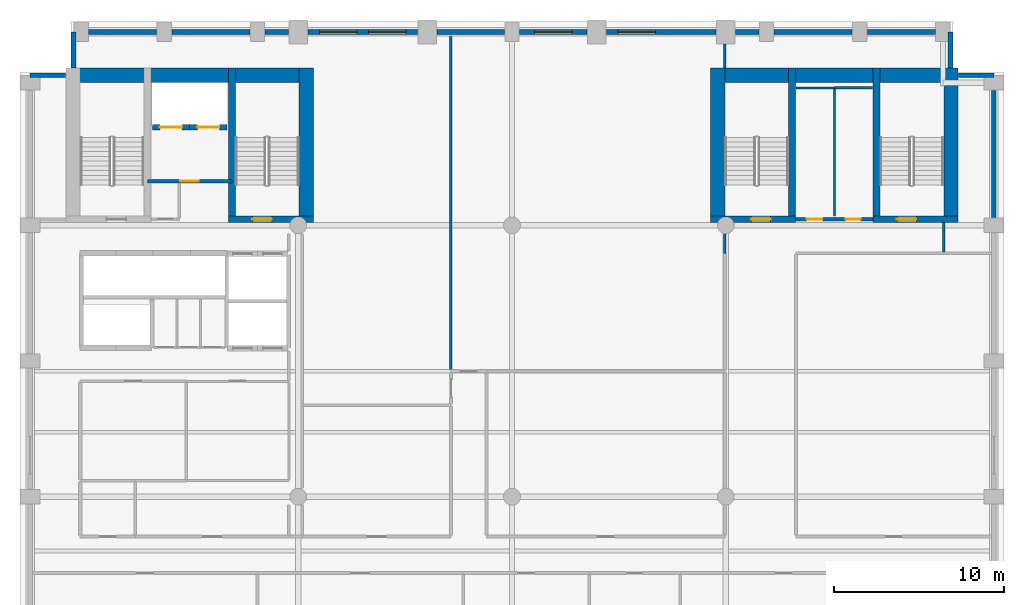
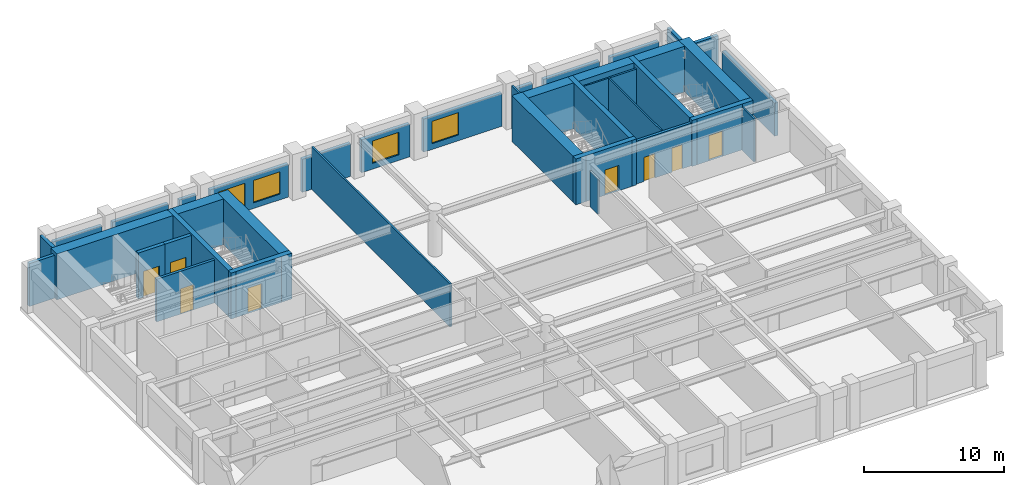
# One storey, part 5 of 8: 37 walls, 8 doors, 4 windows, 12 openings.
"""IFC4 building model written with IfcOpenShell, lengths in metres."""

import ifcopenshell
import ifcopenshell.guid

model = None  # the IFC model being written
_history = None  # IfcOwnerHistory: only IFC2X3 demands one
_inside = {}  # id of a spatial element -> (the spatial element, [elements in it])
_under = {}  # id of a project, library or spatial element -> (it, [spatial elements below it])
_declared = {}  # id of a project -> (the project, [libraries it declares])
_typed = {}  # id of a type object -> (the type object, [elements of that type])
_made_of = {}  # id of a material, layer set ... -> (it, [elements and type objects made of it])


def new_model(schema):
    """Start an empty IFC model of exactly this schema.

    Asked for "IFC4X3", IfcOpenShell would pick the latest addendum, in which some entities
    have other attributes; the version numbers below select the first issue.
    IFC2X3 requires an IfcOwnerHistory on every rooted entity: one is made here for all.
    """
    global model, _history
    if schema == "IFC4X3":
        model = ifcopenshell.file(schema_version=(4, 3, 0, 0))
    else:
        model = ifcopenshell.file(schema=schema)
    _inside.clear()
    _under.clear()
    _declared.clear()
    _typed.clear()
    _made_of.clear()
    _history = None
    if model.schema == "IFC2X3":
        org = make("IfcOrganization", Name="unknown")
        user = make(
            "IfcPersonAndOrganization",
            ThePerson=make("IfcPerson", FamilyName="unknown"),
            TheOrganization=org,
        )
        app = make(
            "IfcApplication",
            ApplicationDeveloper=org,
            Version="unknown",
            ApplicationFullName="unknown",
            ApplicationIdentifier="unknown",
        )
        _history = make(
            "IfcOwnerHistory",
            OwningUser=user,
            OwningApplication=app,
            ChangeAction="ADDED",
            CreationDate=0,
        )
    return model


def make(cls, **values):
    """One entity of the class cls with the attributes given. An attribute that is None is left unset."""
    return model.create_entity(
        cls, **{name: value for name, value in values.items() if value is not None}
    )


def rooted(cls, **values):
    """An entity with a GlobalId (a new one), such as an element, a storey or a relation."""
    return make(cls, GlobalId=ifcopenshell.guid.new(), OwnerHistory=_history, **values)


def si_unit(unit_type, name, prefix=None):
    """IfcSIUnit, for example si_unit("LENGTHUNIT", "METRE", prefix="MILLI")."""
    return make("IfcSIUnit", UnitType=unit_type, Prefix=prefix, Name=name)


def assignment(units):
    """IfcUnitAssignment: the units of a project."""
    return None if units is None else make("IfcUnitAssignment", Units=units)


def point(xyz):
    """IfcCartesianPoint."""
    return None if xyz is None else make("IfcCartesianPoint", Coordinates=xyz)


def direction(xyz):
    """IfcDirection."""
    return None if xyz is None else make("IfcDirection", DirectionRatios=xyz)


def frame(location, z_axis=None, x_axis=None):
    """IfcAxis2Placement3D, a coordinate frame: its origin and axes. An axis left out is left unset."""
    return make(
        "IfcAxis2Placement3D",
        Location=point(location),
        Axis=direction(z_axis),
        RefDirection=direction(x_axis),
    )


def frame_2d(location, x_axis=None):
    """IfcAxis2Placement2D, a coordinate frame in the plane: its origin and x axis."""
    return make(
        "IfcAxis2Placement2D", Location=point(location), RefDirection=direction(x_axis)
    )


def origin():
    """The frame at (0, 0, 0) with its axes left unset."""
    return frame((0.0, 0.0, 0.0))


def place(relative_to, where):
    """IfcLocalPlacement: puts the frame where relative to a parent placement (None: the world)."""
    return make(
        "IfcLocalPlacement", PlacementRelTo=relative_to, RelativePlacement=where
    )


def context(
    kind, dimensions, precision=None, world=None, true_north=None, identifier=None
):
    """IfcGeometricRepresentationContext, for example the 3D "Model" context."""
    return make(
        "IfcGeometricRepresentationContext",
        ContextIdentifier=identifier,
        ContextType=kind,
        CoordinateSpaceDimension=dimensions,
        Precision=precision,
        WorldCoordinateSystem=world,
        TrueNorth=true_north,
    )


def subcontext(parent, identifier, kind, view, scale=None):
    """IfcGeometricRepresentationSubContext, for example "Body" below "Model"."""
    return make(
        "IfcGeometricRepresentationSubContext",
        ContextIdentifier=identifier,
        ContextType=kind,
        ParentContext=parent,
        TargetScale=scale,
        TargetView=view,
    )


def project(units=None, contexts=None):
    """IfcProject with its units and contexts."""
    return rooted(
        "IfcProject",
        Name="project",
        RepresentationContexts=contexts,
        UnitsInContext=assignment(units),
    )


def spatial(cls, under=None, at=None, **own):
    """A site, building, storey or space (cls), placed at a placement, below another one or the project."""
    s = rooted(cls, ObjectPlacement=at, **own)
    if under is not None:
        _under.setdefault(under.id(), (under, []))[1].append(s)
    return s


def profile(cls, at=None, kind="AREA", **sizes):
    """A parametric profile (cls). Its sizes go by their IFC names, for example OverallWidth=200.0."""
    return make(cls, ProfileType=kind, Position=at, **sizes)


def rectangle(**sizes):
    """IfcRectangleProfileDef."""
    return profile("IfcRectangleProfileDef", **sizes)


def extrude(swept, where, along, depth):
    """IfcExtrudedAreaSolid: the profile swept, set in the frame where, extruded along a direction by depth."""
    return make(
        "IfcExtrudedAreaSolid",
        SweptArea=swept,
        Position=where,
        ExtrudedDirection=direction(along),
        Depth=depth,
    )


def shape(context_of_items, identifier, shape_type, items):
    """IfcShapeRepresentation: the items that make up one representation, for example the "Body"."""
    return make(
        "IfcShapeRepresentation",
        ContextOfItems=context_of_items,
        RepresentationIdentifier=identifier,
        RepresentationType=shape_type,
        Items=items,
    )


def material(Name=None, Category=None):
    """IfcMaterial."""
    return make("IfcMaterial", Name=Name, Category=Category)


def layer(
    of_material, thickness, ventilated=None, Name=None, Category=None, Priority=None
):
    """IfcMaterialLayer: one layer of a wall or slab, of a material (None: an air gap)."""
    return make(
        "IfcMaterialLayer",
        Material=of_material,
        LayerThickness=thickness,
        IsVentilated=ventilated,
        Name=Name,
        Category=Category,
        Priority=Priority,
    )


def layer_set(layers, Name=None):
    """IfcMaterialLayerSet."""
    return make("IfcMaterialLayerSet", MaterialLayers=layers, LayerSetName=Name)


def made_of(thing, what):
    """Note that an element or type object is made of a material, layer set ...; save() writes the relation."""
    if what is not None:
        _made_of.setdefault(what.id(), (what, []))[1].append(thing)
    return thing


def type_object(cls, material=None, **own):
    """A type object (cls), such as IfcWallType, which elements share."""
    return made_of(rooted(cls, **own), material)


def element(
    cls,
    number,
    at=None,
    inside=None,
    cuts=None,
    type_object=None,
    material=None,
    context=None,
    identifier="Body",
    shape_type=None,
    held_by="IfcProductDefinitionShape",
    body=None,
    shapes=None,
    **own,
):
    """One element of the class cls, such as IfcWall. Its Tag is "e" and its number.

    at: its placement. inside: the storey or other place that contains it. cuts: it is an
    opening in that element (IfcRelVoidsElement). A single representation is given by context,
    identifier, shape_type and body (its items); several are given by shapes. held_by: the class
    of the entity that holds the representations. save() writes the other relations.
    """
    e = rooted(cls, Tag="e%d" % number, ObjectPlacement=at, **own)
    if body is not None:
        shapes = [shape(context, identifier, shape_type, body)]
    if shapes is not None:
        e.Representation = make(held_by, Representations=shapes)
    if inside is not None:
        _inside.setdefault(inside.id(), (inside, []))[1].append(e)
    if cuts is not None:
        rooted(
            "IfcRelVoidsElement", RelatingBuildingElement=cuts, RelatedOpeningElement=e
        )
    if type_object is not None:
        _typed.setdefault(type_object.id(), (type_object, []))[1].append(e)
    return made_of(e, material)


def fill(opening, filler):
    """IfcRelFillsElement: the door or window that sits in an opening."""
    return rooted(
        "IfcRelFillsElement",
        RelatingOpeningElement=opening,
        RelatedBuildingElement=filler,
    )


def aggregate(whole, parts):
    """IfcRelAggregates: a whole, such as a stair, and the parts it consists of."""
    return rooted("IfcRelAggregates", RelatingObject=whole, RelatedObjects=parts)


def save(model, path):
    """Write the relations noted so far, then the file.

    IfcRelAggregates (storeys below a building ...), IfcRelContainedInSpatialStructure (elements
    in a storey), IfcRelDefinesByType, IfcRelAssociatesMaterial and IfcRelDeclares: one each for
    every whole, place, type object, material and project.
    """
    for whole, parts in _under.values():
        aggregate(whole, parts)
    for where, things in _inside.values():
        rooted(
            "IfcRelContainedInSpatialStructure",
            RelatedElements=things,
            RelatingStructure=where,
        )
    for kind, things in _typed.values():
        rooted("IfcRelDefinesByType", RelatedObjects=things, RelatingType=kind)
    for what, things in _made_of.values():
        rooted("IfcRelAssociatesMaterial", RelatedObjects=things, RelatingMaterial=what)
    for by, libraries in _declared.values():
        rooted("IfcRelDeclares", RelatingContext=by, RelatedDefinitions=libraries)
    model.write(path)


model = new_model("IFC4")

# Units and contexts
model_context = context("Model", 3, precision=1e-05, world=origin(), true_north=direction((0.0, 1.0)))
body_context = subcontext(model_context, "Body", "Model", "MODEL_VIEW")
ifc_project = project(units=[si_unit("LENGTHUNIT", "METRE"), si_unit("AREAUNIT", "SQUARE_METRE"), si_unit("VOLUMEUNIT", "CUBIC_METRE"), si_unit("PLANEANGLEUNIT", "RADIAN"), si_unit("MASSUNIT", "GRAM", prefix="KILO")], contexts=[model_context])

# Site, building, storey
site_placement = place(None, origin())
site = spatial("IfcSite", under=ifc_project, at=site_placement, CompositionType="ELEMENT")
building_placement = place(site_placement, origin())
building = spatial("IfcBuilding", under=site, at=building_placement, Name="Sulina Concourse Tower", CompositionType="ELEMENT")
storey_placement = place(building_placement, frame((0.0, 0.0, 116.60009765625)))
storey = spatial("IfcBuildingStorey", under=building, at=storey_placement, Name="L28", CompositionType="ELEMENT", Elevation=116.60009765625)

# Wall, opening, door
ifc_material_1 = material(Name="Concrete C50/60", Category="concrete")
ifc_layer_1 = layer(ifc_material_1, 0.300048828125)
ifc_layer_set_1 = layer_set([ifc_layer_1], Name="Concrete C50/60")
wall_type_1 = type_object("IfcWallType", Name="Core Lift Hoistway Wall 300mm", PredefinedType="SOLIDWALL", material=ifc_layer_set_1)
wall_1_placement = place(storey_placement, frame((10.0, 39.780029296875, 0.0), z_axis=(0.0, 0.0, 1.0), x_axis=(-1.0, 0.0, 0.0)))
wall_1 = element("IfcWall", 1, at=wall_1_placement, inside=storey, type_object=wall_type_1, Name="L28 hoistway enclosure wall FFL-1", PredefinedType="SOLIDWALL", context=body_context, shape_type="SweptSolid", body=[
    extrude(rectangle(XDim=2.199951171875, YDim=0.300048828125, at=frame_2d((1.10009765625, 0.0))), origin(), (0.0, 0.0, 1.0), 4.0),
])
opening_1_placement = place(wall_1_placement, frame((0.449951171875, 0.0, 0.0)))
opening_1 = element("IfcOpeningElement", 2, at=opening_1_placement, cuts=wall_1, Name="Opening LD-02", PredefinedType="OPENING", context=body_context, shape_type="SweptSolid", body=[
    extrude(rectangle(XDim=1.300048828125, YDim=2.25, at=frame_2d((0.64990234375, 1.125))), frame((0.0, 0.159912109375, 0.0), z_axis=(0.0, -1.0, 0.0), x_axis=(1.0, 0.0, 0.0)), (0.0, 0.0, 1.0), 0.320068359375),
])
ifc_material_2 = material(Name="Stainless steel lift landing door", Category="steel")
ifc_layer_2 = layer(ifc_material_2, 0.050048828125)
ifc_layer_set_2 = layer_set([ifc_layer_2], Name="Stainless steel lift landing door")
door_type_1 = type_object("IfcDoorType", Name="Firefighting Lift Sliding Landing Door 1300x2250", OperationType="SLIDING_TO_RIGHT", PredefinedType="DOOR", material=ifc_layer_set_2)
door_1_placement = place(opening_1_placement, origin())
door_1 = element("IfcDoor", 3, at=door_1_placement, inside=storey, type_object=door_type_1, Name="L28 lift landing sliding door FFL-1", OperationType="SLIDING_TO_LEFT", OverallHeight=2.25, OverallWidth=1.300048828125, PredefinedType="DOOR", context=body_context, shape_type="SweptSolid", body=[
    extrude(rectangle(XDim=1.300048828125, YDim=2.25, at=frame_2d((0.64990234375, 1.125))), frame((0.0, 0.02490234375, 0.0), z_axis=(0.0, -1.0, 0.0), x_axis=(1.0, 0.0, 0.0)), (0.0, 0.0, 1.0), 0.050048828125),
])
fill(opening_1, door_1)

wall_2_placement = place(storey_placement, frame((12.199951171875, 39.780029296875, 0.0), z_axis=(0.0, 0.0, 1.0), x_axis=(-1.0, 0.0, 0.0)))
wall_2 = element("IfcWall", 4, at=wall_2_placement, inside=storey, type_object=wall_type_1, Name="L28 hoistway enclosure wall FFL-2", PredefinedType="SOLIDWALL", context=body_context, shape_type="SweptSolid", body=[
    extrude(rectangle(XDim=2.199951171875, YDim=0.300048828125, at=frame_2d((1.10009765625, 0.0))), origin(), (0.0, 0.0, 1.0), 4.0),
])
opening_2_placement = place(wall_2_placement, frame((0.449951171875, 0.0, 0.0)))
opening_2 = element("IfcOpeningElement", 5, at=opening_2_placement, cuts=wall_2, Name="Opening LD-02", PredefinedType="OPENING", context=body_context, shape_type="SweptSolid", body=[
    extrude(rectangle(XDim=1.300048828125, YDim=2.25, at=frame_2d((0.64990234375, 1.125))), frame((0.0, 0.159912109375, 0.0), z_axis=(0.0, -1.0, 0.0), x_axis=(1.0, 0.0, 0.0)), (0.0, 0.0, 1.0), 0.320068359375),
])
door_2_placement = place(opening_2_placement, origin())
door_2 = element("IfcDoor", 6, at=door_2_placement, inside=storey, type_object=door_type_1, Name="L28 lift landing sliding door FFL-2", OperationType="SLIDING_TO_RIGHT", OverallHeight=2.25, OverallWidth=1.300048828125, PredefinedType="DOOR", context=body_context, shape_type="SweptSolid", body=[
    extrude(rectangle(XDim=1.300048828125, YDim=2.25, at=frame_2d((0.64990234375, 1.125))), frame((0.0, 0.02490234375, 0.0), z_axis=(0.0, -1.0, 0.0), x_axis=(1.0, 0.0, 0.0)), (0.0, 0.0, 1.0), 0.050048828125),
])
fill(opening_2, door_2)

ifc_material_3 = material(Name="Gypsum board on steel stud", Category="steel")
ifc_layer_3 = layer(ifc_material_3, 0.219970703125)
ifc_layer_set_3 = layer_set([ifc_layer_3], Name="Gypsum board on steel stud")
wall_type_2 = type_object("IfcWallType", Name="Fire-Rated Lobby & Compartment Wall 220mm", PredefinedType="PARTITIONING", material=ifc_layer_set_3)
wall_3_placement = place(storey_placement, frame((7.510009765625, 36.60009765625, 0.0), z_axis=(0.0, 0.0, 1.0), x_axis=(1.0, 0.0, 0.0)))
wall_3 = element("IfcWall", 7, at=wall_3_placement, inside=storey, type_object=wall_type_2, Name="L28 firefighting lobby south fire wall", PredefinedType="PARTITIONING", context=body_context, shape_type="SweptSolid", body=[
    extrude(rectangle(XDim=4.97998046875, YDim=0.219970703125, at=frame_2d((2.489990234375, 0.0))), origin(), (0.0, 0.0, 1.0), 3.724853515625),
])
opening_3_placement = place(wall_3_placement, frame((1.93994140625, 0.0, 0.0)))
opening_3 = element("IfcOpeningElement", 8, at=opening_3_placement, cuts=wall_3, Name="Opening DR-47", PredefinedType="OPENING", context=body_context, shape_type="SweptSolid", body=[
    extrude(rectangle(XDim=1.10009765625, YDim=2.199951171875, at=frame_2d((0.550048828125, 1.10009765625))), frame((0.0, 0.119873046875, 0.0), z_axis=(0.0, -1.0, 0.0), x_axis=(1.0, 0.0, 0.0)), (0.0, 0.0, 1.0), 0.239990234375),
])
ifc_material_4 = material(Name="Galvanised steel acoustic fire leaf", Category="steel")
ifc_layer_4 = layer(ifc_material_4, 0.054931640625)
ifc_layer_set_4 = layer_set([ifc_layer_4], Name="Galvanised steel acoustic fire leaf")
door_type_2 = type_object("IfcDoorType", Name="Firefighting Lobby Fire Door 1100x2200", OperationType="NOTDEFINED", PredefinedType="DOOR", material=ifc_layer_set_4)
door_3_placement = place(opening_3_placement, origin())
door_3 = element("IfcDoor", 9, at=door_3_placement, inside=storey, type_object=door_type_2, Name="L28 firefighting lobby fire door", OperationType="SINGLE_SWING_LEFT", OverallHeight=2.199951171875, OverallWidth=1.10009765625, PredefinedType="DOOR", context=body_context, shape_type="SweptSolid", body=[
    extrude(rectangle(XDim=1.10009765625, YDim=2.199951171875, at=frame_2d((0.550048828125, 1.10009765625))), frame((0.0, 0.02490234375, 0.0), z_axis=(0.0, -1.0, 0.0), x_axis=(1.0, 0.0, 0.0)), (0.0, 0.0, 1.0), 0.050048828125),
])
fill(opening_3, door_3)

# Wall, openings, doors
wall_4_placement = place(storey_placement, frame((45.719970703125, 34.35009765625, 0.0), z_axis=(0.0, 0.0, 1.0), x_axis=(1.0, 0.0, 0.0)))
wall_4 = element("IfcWall", 10, at=wall_4_placement, inside=storey, type_object=wall_type_2, Name="L28 east core south lobby wall", PredefinedType="PARTITIONING", context=body_context, shape_type="SweptSolid", body=[
    extrude(rectangle(XDim=4.56005859375, YDim=0.219970703125, at=frame_2d((2.280029296875, 0.0))), origin(), (0.0, 0.0, 1.0), 3.724853515625),
])
opening_4_placement = place(wall_4_placement, frame((0.64990234375, 0.0, 0.0)))
opening_4 = element("IfcOpeningElement", 11, at=opening_4_placement, cuts=wall_4, Name="Opening DR-61", PredefinedType="OPENING", context=body_context, shape_type="SweptSolid", body=[
    extrude(rectangle(XDim=0.919921875, YDim=2.10009765625, at=frame_2d((0.4599609375, 1.050048828125))), frame((0.0, 0.119873046875, 0.0), z_axis=(0.0, -1.0, 0.0), x_axis=(1.0, 0.0, 0.0)), (0.0, 0.0, 1.0), 0.239990234375),
])
opening_5_placement = place(wall_4_placement, frame((2.949951171875, 0.0, 0.0)))
opening_5 = element("IfcOpeningElement", 12, at=opening_5_placement, cuts=wall_4, Name="Opening DR-38", PredefinedType="OPENING", context=body_context, shape_type="SweptSolid", body=[
    extrude(rectangle(XDim=0.8798828125, YDim=2.10009765625, at=frame_2d((0.43994140625, 1.050048828125))), frame((0.0, 0.119873046875, 0.0), z_axis=(0.0, -1.0, 0.0), x_axis=(1.0, 0.0, 0.0)), (0.0, 0.0, 1.0), 0.239990234375),
])
ifc_material_5 = material(Name="Oak-veneered fire door leaf")
ifc_layer_5 = layer(ifc_material_5, 0.050048828125)
ifc_layer_set_5 = layer_set([ifc_layer_5], Name="Oak-veneered fire door leaf")
door_type_3 = type_object("IfcDoorType", Name="Accessible WC Door 920x2100", OperationType="NOTDEFINED", PredefinedType="DOOR", material=ifc_layer_set_5)
door_4_placement = place(opening_4_placement, origin())
door_4 = element("IfcDoor", 13, at=door_4_placement, inside=storey, type_object=door_type_3, Name="L28 east core accessible wc door", OperationType="SINGLE_SWING_LEFT", OverallHeight=2.10009765625, OverallWidth=0.919921875, PredefinedType="DOOR", context=body_context, shape_type="SweptSolid", body=[
    extrude(rectangle(XDim=0.919921875, YDim=2.10009765625, at=frame_2d((0.4599609375, 1.050048828125))), frame((0.0, 0.02490234375, 0.0), z_axis=(0.0, -1.0, 0.0), x_axis=(1.0, 0.0, 0.0)), (0.0, 0.0, 1.0), 0.050048828125),
])
fill(opening_4, door_4)
ifc_material_6 = material(Name="Galvanised steel acoustic fire leaf", Category="steel")
ifc_layer_6 = layer(ifc_material_6, 0.050048828125)
ifc_layer_set_6 = layer_set([ifc_layer_6], Name="Galvanised steel acoustic fire leaf")
door_type_4 = type_object("IfcDoorType", Name="Service Riser Fire Door 880x2100", OperationType="NOTDEFINED", PredefinedType="DOOR", material=ifc_layer_set_6)
door_5_placement = place(opening_5_placement, origin())
door_5 = element("IfcDoor", 14, at=door_5_placement, inside=storey, type_object=door_type_4, Name="L28 east core store door", OperationType="SINGLE_SWING_RIGHT", OverallHeight=2.10009765625, OverallWidth=0.8798828125, PredefinedType="DOOR", context=body_context, shape_type="SweptSolid", body=[
    extrude(rectangle(XDim=0.8798828125, YDim=2.10009765625, at=frame_2d((0.43994140625, 1.050048828125))), frame((0.0, 0.02490234375, 0.0), z_axis=(0.0, -1.0, 0.0), x_axis=(1.0, 0.0, 0.0)), (0.0, 0.0, 1.0), 0.050048828125),
])
fill(opening_5, door_5)

# Walls
ifc_material_7 = material(Name="Gypsum board on steel stud", Category="steel")
ifc_layer_7 = layer(ifc_material_7, 0.14990234375)
ifc_layer_set_7 = layer_set([ifc_layer_7], Name="Gypsum board on steel stud")
wall_type_3 = type_object("IfcWallType", Name="Inter-Tenancy Acoustic Partition 150mm", PredefinedType="PARTITIONING", material=ifc_layer_set_7)
wall_5_placement = place(storey_placement, frame((48.0, 42.10009765625, 0.0), z_axis=(0.0, 0.0, 1.0), x_axis=(1.0, 0.0, 0.0)))
element("IfcWall", 15, at=wall_5_placement, inside=storey, type_object=wall_type_3, Name="L28 interior partition 029", PredefinedType="PARTITIONING", context=body_context, shape_type="SweptSolid", body=[
    extrude(rectangle(XDim=2.25, YDim=0.14990234375, at=frame_2d((1.125, 0.0))), origin(), (0.0, 0.0, 1.0), 3.724853515625),
])
wall_6_placement = place(storey_placement, frame((25.39990234375, 25.489990234375, 0.0), z_axis=(0.0, 0.0, 1.0), x_axis=(0.0, 1.0, 0.0)))
element("IfcWall", 16, at=wall_6_placement, inside=storey, type_object=wall_type_3, Name="L28 interior partition 047", PredefinedType="PARTITIONING", context=body_context, shape_type="SweptSolid", body=[
    extrude(rectangle(XDim=19.77001953125, YDim=0.14990234375, at=frame_2d((9.885009765625, 0.0))), origin(), (0.0, 0.0, 1.0), 3.724853515625),
])
wall_7_placement = place(storey_placement, frame((41.550048828125, 32.35009765625, 0.0), z_axis=(0.0, 0.0, 1.0), x_axis=(0.0, 1.0, 0.0)))
element("IfcWall", 17, at=wall_7_placement, inside=storey, type_object=wall_type_3, Name="L28 interior partition 055", PredefinedType="PARTITIONING", context=body_context, shape_type="SweptSolid", body=[
    extrude(rectangle(XDim=1.14990234375, YDim=0.14990234375, at=frame_2d((0.574951171875, 0.0))), origin(), (0.0, 0.0, 1.0), 3.06982421875),
])
wall_8_placement = place(storey_placement, frame((41.550048828125, 43.280029296875, 0.0), z_axis=(0.0, 0.0, 1.0), x_axis=(0.0, 1.0, 0.0)))
element("IfcWall", 18, at=wall_8_placement, inside=storey, type_object=wall_type_3, Name="L28 interior partition 056", PredefinedType="PARTITIONING", context=body_context, shape_type="SweptSolid", body=[
    extrude(rectangle(XDim=1.419921875, YDim=0.14990234375, at=frame_2d((0.7099609375, 0.0))), origin(), (0.0, 0.0, 1.0), 3.724853515625),
])
wall_9_placement = place(storey_placement, frame((54.449951171875, 32.425048828125, 0.0), z_axis=(0.0, 0.0, 1.0), x_axis=(0.0, 1.0, 0.0)))
element("IfcWall", 19, at=wall_9_placement, inside=storey, type_object=wall_type_3, Name="L28 interior partition 060", PredefinedType="PARTITIONING", context=body_context, shape_type="SweptSolid", body=[
    extrude(rectangle(XDim=1.724853515625, YDim=0.14990234375, at=frame_2d((0.8623046875, 0.0))), origin(), (0.0, 0.0, 1.0), 3.724853515625),
])

# Wall, opening, door
ifc_material_8 = material(Name="Concrete C60/75", Category="concrete")
ifc_layer_8 = layer(ifc_material_8, 0.39990234375)
ifc_layer_set_8 = layer_set([ifc_layer_8], Name="Concrete C60/75")
wall_type_4 = type_object("IfcWallType", Name="Protected Stair Core Shear Wall 400mm", PredefinedType="SHEAR", material=ifc_layer_set_8)
wall_10_placement = place(storey_placement, frame((12.2900390625, 34.35009765625, 0.0), z_axis=(0.0, 0.0, 1.0), x_axis=(1.0, 0.0, 0.0)))
wall_10 = element("IfcWall", 20, at=wall_10_placement, inside=storey, type_object=wall_type_4, Name="L28 west core shear wall CW-WS2", PredefinedType="SHEAR", context=body_context, shape_type="SweptSolid", body=[
    extrude(rectangle(XDim=5.010009765625, YDim=0.39990234375, at=frame_2d((2.5048828125, 0.0))), origin(), (0.0, 0.0, 1.0), 4.0),
])
opening_6_placement = place(wall_10_placement, frame((1.39990234375, 0.0, 0.0)))
opening_6 = element("IfcOpeningElement", 21, at=opening_6_placement, cuts=wall_10, Name="Opening DR-60", PredefinedType="OPENING", context=body_context, shape_type="SweptSolid", body=[
    extrude(rectangle(XDim=1.14990234375, YDim=2.199951171875, at=frame_2d((0.574951171875, 1.10009765625))), frame((0.0, 0.2099609375, 0.0), z_axis=(0.0, -1.0, 0.0), x_axis=(1.0, 0.0, 0.0)), (0.0, 0.0, 1.0), 0.419921875),
])
ifc_material_9 = material(Name="Galvanised steel acoustic fire leaf", Category="steel")
ifc_layer_9 = layer(ifc_material_9, 0.054931640625)
ifc_layer_set_9 = layer_set([ifc_layer_9], Name="Galvanised steel acoustic fire leaf")
door_type_5 = type_object("IfcDoorType", Name="Protected Exit Stair Fire Door 1150x2200", OperationType="NOTDEFINED", PredefinedType="DOOR", material=ifc_layer_set_9)
door_6_placement = place(opening_6_placement, origin())
door_6 = element("IfcDoor", 22, at=door_6_placement, inside=storey, type_object=door_type_5, Name="L28 stair ST-2 lobby fire door", OperationType="SINGLE_SWING_RIGHT", OverallHeight=2.199951171875, OverallWidth=1.14990234375, PredefinedType="DOOR", context=body_context, shape_type="SweptSolid", body=[
    extrude(rectangle(XDim=1.14990234375, YDim=2.199951171875, at=frame_2d((0.574951171875, 1.10009765625))), frame((0.0, 0.02490234375, 0.0), z_axis=(0.0, -1.0, 0.0), x_axis=(1.0, 0.0, 0.0)), (0.0, 0.0, 1.0), 0.050048828125),
])
fill(opening_6, door_6)

# Wall
wall_11_placement = place(storey_placement, frame((12.489990234375, 34.14990234375, 0.0), z_axis=(0.0, 0.0, 1.0), x_axis=(0.0, 1.0, 0.0)))
element("IfcWall", 23, at=wall_11_placement, inside=storey, type_object=wall_type_4, Name="L28 west core shear wall SW-ST2", PredefinedType="SHEAR", context=body_context, shape_type="SweptSolid", body=[
    extrude(rectangle(XDim=9.130126953125, YDim=0.39990234375, at=frame_2d((4.56494140625, 0.0))), origin(), (0.0, 0.0, 1.0), 4.0),
])

# Wall, opening, door
wall_12_placement = place(storey_placement, frame((40.699951171875, 34.35009765625, 0.0), z_axis=(0.0, 0.0, 1.0), x_axis=(1.0, 0.0, 0.0)))
wall_12 = element("IfcWall", 24, at=wall_12_placement, inside=storey, type_object=wall_type_4, Name="L28 east core shear wall CW-ES1", PredefinedType="SHEAR", context=body_context, shape_type="SweptSolid", body=[
    extrude(rectangle(XDim=5.010009765625, YDim=0.39990234375, at=frame_2d((2.5048828125, 0.0))), origin(), (0.0, 0.0, 1.0), 4.0),
])
opening_7_placement = place(wall_12_placement, frame((2.39990234375, 0.0, 0.0)))
opening_7 = element("IfcOpeningElement", 25, at=opening_7_placement, cuts=wall_12, Name="Opening DR-60", PredefinedType="OPENING", context=body_context, shape_type="SweptSolid", body=[
    extrude(rectangle(XDim=1.14990234375, YDim=2.199951171875, at=frame_2d((0.574951171875, 1.10009765625))), frame((0.0, 0.2099609375, 0.0), z_axis=(0.0, -1.0, 0.0), x_axis=(1.0, 0.0, 0.0)), (0.0, 0.0, 1.0), 0.419921875),
])
door_7_placement = place(opening_7_placement, origin())
door_7 = element("IfcDoor", 26, at=door_7_placement, inside=storey, type_object=door_type_5, Name="L28 stair ST-3 south lobby fire door", OperationType="SINGLE_SWING_RIGHT", OverallHeight=2.199951171875, OverallWidth=1.14990234375, PredefinedType="DOOR", context=body_context, shape_type="SweptSolid", body=[
    extrude(rectangle(XDim=1.14990234375, YDim=2.199951171875, at=frame_2d((0.574951171875, 1.10009765625))), frame((0.0, 0.02490234375, 0.0), z_axis=(0.0, -1.0, 0.0), x_axis=(1.0, 0.0, 0.0)), (0.0, 0.0, 1.0), 0.050048828125),
])
fill(opening_7, door_7)

# Wall
wall_13_placement = place(storey_placement, frame((45.510009765625, 34.14990234375, 0.0), z_axis=(0.0, 0.0, 1.0), x_axis=(0.0, 1.0, 0.0)))
element("IfcWall", 27, at=wall_13_placement, inside=storey, type_object=wall_type_4, Name="L28 east core shear wall SW-ST3", PredefinedType="SHEAR", context=body_context, shape_type="SweptSolid", body=[
    extrude(rectangle(XDim=9.130126953125, YDim=0.39990234375, at=frame_2d((4.56494140625, 0.0))), origin(), (0.0, 0.0, 1.0), 4.0),
])

# Wall, opening, door
wall_14_placement = place(storey_placement, frame((50.2900390625, 34.35009765625, 0.0), z_axis=(0.0, 0.0, 1.0), x_axis=(1.0, 0.0, 0.0)))
wall_14 = element("IfcWall", 28, at=wall_14_placement, inside=storey, type_object=wall_type_4, Name="L28 east core shear wall CW-ES2", PredefinedType="SHEAR", context=body_context, shape_type="SweptSolid", body=[
    extrude(rectangle(XDim=5.010009765625, YDim=0.39990234375, at=frame_2d((2.5048828125, 0.0))), origin(), (0.0, 0.0, 1.0), 4.0),
])
opening_8_placement = place(wall_14_placement, frame((1.39990234375, 0.0, 0.0)))
opening_8 = element("IfcOpeningElement", 29, at=opening_8_placement, cuts=wall_14, Name="Opening DR-60", PredefinedType="OPENING", context=body_context, shape_type="SweptSolid", body=[
    extrude(rectangle(XDim=1.14990234375, YDim=2.199951171875, at=frame_2d((0.574951171875, 1.10009765625))), frame((0.0, 0.2099609375, 0.0), z_axis=(0.0, -1.0, 0.0), x_axis=(1.0, 0.0, 0.0)), (0.0, 0.0, 1.0), 0.419921875),
])
door_8_placement = place(opening_8_placement, origin())
door_8 = element("IfcDoor", 30, at=door_8_placement, inside=storey, type_object=door_type_5, Name="L28 stair ST-4 south lobby fire door", OperationType="SINGLE_SWING_LEFT", OverallHeight=2.199951171875, OverallWidth=1.14990234375, PredefinedType="DOOR", context=body_context, shape_type="SweptSolid", body=[
    extrude(rectangle(XDim=1.14990234375, YDim=2.199951171875, at=frame_2d((0.574951171875, 1.10009765625))), frame((0.0, 0.02490234375, 0.0), z_axis=(0.0, -1.0, 0.0), x_axis=(1.0, 0.0, 0.0)), (0.0, 0.0, 1.0), 0.050048828125),
])
fill(opening_8, door_8)

# Walls
wall_15_placement = place(storey_placement, frame((50.489990234375, 34.14990234375, 0.0), z_axis=(0.0, 0.0, 1.0), x_axis=(0.0, 1.0, 0.0)))
element("IfcWall", 31, at=wall_15_placement, inside=storey, type_object=wall_type_4, Name="L28 east core shear wall SW-ST4", PredefinedType="SHEAR", context=body_context, shape_type="SweptSolid", body=[
    extrude(rectangle(XDim=9.130126953125, YDim=0.39990234375, at=frame_2d((4.56494140625, 0.0))), origin(), (0.0, 0.0, 1.0), 4.0),
])
ifc_material_10 = material(Name="Concrete C60/75", Category="concrete")
ifc_layer_10 = layer(ifc_material_10, 0.85009765625)
ifc_layer_set_10 = layer_set([ifc_layer_10], Name="Concrete C60/75")
wall_type_5 = type_object("IfcWallType", Name="Rear Core Shear Wall 850mm", PredefinedType="SHEAR", material=ifc_layer_set_10)
wall_16_placement = place(storey_placement, frame((2.699951171875, 42.85498046875, 0.0), z_axis=(0.0, 0.0, 1.0), x_axis=(1.0, 0.0, 0.0)))
element("IfcWall", 32, at=wall_16_placement, inside=storey, type_object=wall_type_5, Name="L28 west core shear wall CW-WN", PredefinedType="SHEAR", context=body_context, shape_type="SweptSolid", body=[
    extrude(rectangle(XDim=14.60009765625, YDim=0.85009765625, at=frame_2d((7.300048828125, 0.0))), origin(), (0.0, 0.0, 1.0), 4.0),
])
wall_17_placement = place(storey_placement, frame((16.875, 34.14990234375, 0.0), z_axis=(0.0, 0.0, 1.0), x_axis=(0.0, 1.0, 0.0)))
element("IfcWall", 33, at=wall_17_placement, inside=storey, type_object=wall_type_5, Name="L28 west core shear wall CW-WE", PredefinedType="SHEAR", context=body_context, shape_type="SweptSolid", body=[
    extrude(rectangle(XDim=9.130126953125, YDim=0.85009765625, at=frame_2d((4.56494140625, 0.0))), origin(), (0.0, 0.0, 1.0), 4.0),
])
wall_18_placement = place(storey_placement, frame((40.699951171875, 42.85498046875, 0.0), z_axis=(0.0, 0.0, 1.0), x_axis=(1.0, 0.0, 0.0)))
element("IfcWall", 34, at=wall_18_placement, inside=storey, type_object=wall_type_5, Name="L28 east core shear wall CW-EN", PredefinedType="SHEAR", context=body_context, shape_type="SweptSolid", body=[
    extrude(rectangle(XDim=14.60009765625, YDim=0.85009765625, at=frame_2d((7.300048828125, 0.0))), origin(), (0.0, 0.0, 1.0), 4.0),
])
for number, where, z_axis, x_axis, name in (
    (35, (41.125, 34.14990234375, 0.0), (0.0, 0.0, 1.0), (0.0, 1.0, 0.0), "L28 east core shear wall CW-EW"),
    (36, (54.875, 34.14990234375, 0.0), (0.0, 0.0, 1.0), (0.0, 1.0, 0.0), "L28 east core shear wall CW-EE"),
):
    element("IfcWall", number, at=place(storey_placement, frame(where, z_axis=z_axis, x_axis=x_axis)), inside=storey, type_object=wall_type_5, Name=name, PredefinedType="SHEAR", context=body_context, shape_type="SweptSolid", body=[
        extrude(rectangle(XDim=9.130126953125, YDim=0.85009765625, at=frame_2d((4.56494140625, 0.0))), origin(), (0.0, 0.0, 1.0), 4.0),
    ])
ifc_material_11 = material(Name="Precast concrete C50/60", Category="concrete")
ifc_layer_11 = layer(ifc_material_11, 0.280029296875)
ifc_layer_set_11 = layer_set([ifc_layer_11], Name="Precast concrete C50/60")
wall_type_6 = type_object("IfcWallType", Name="Typical Precast Masonry-Frame Facade Wall 280mm", PredefinedType="SOLIDWALL", material=ifc_layer_set_11)
wall_19_placement = place(storey_placement, frame((4.044921875, 45.39990234375, 0.0), z_axis=(0.0, 0.0, 1.0), x_axis=(1.0, 0.0, 0.0)))
element("IfcWall", 37, at=wall_19_placement, inside=storey, type_object=wall_type_6, Name="L28 exterior precast wall N1", PredefinedType="SOLIDWALL", context=body_context, shape_type="SweptSolid", body=[
    extrude(rectangle(XDim=4.010009765625, YDim=0.280029296875, at=frame_2d((2.0048828125, 0.0))), origin(), (0.0, 0.0, 1.0), 2.875),
])
wall_20_placement = place(storey_placement, frame((8.945068359375, 45.39990234375, 0.0), z_axis=(0.0, 0.0, 1.0), x_axis=(1.0, 0.0, 0.0)))
element("IfcWall", 38, at=wall_20_placement, inside=storey, type_object=wall_type_6, Name="L28 exterior precast wall N2", PredefinedType="SOLIDWALL", context=body_context, shape_type="SweptSolid", body=[
    extrude(rectangle(XDim=4.60986328125, YDim=0.280029296875, at=frame_2d((2.304931640625, 0.0))), origin(), (0.0, 0.0, 1.0), 2.875),
])
wall_21_placement = place(storey_placement, frame((14.445068359375, 45.39990234375, 0.0), z_axis=(0.0, 0.0, 1.0), x_axis=(1.0, 0.0, 0.0)))
element("IfcWall", 39, at=wall_21_placement, inside=storey, type_object=wall_type_6, Name="L28 exterior precast wall N3", PredefinedType="SOLIDWALL", context=body_context, shape_type="SweptSolid", body=[
    extrude(rectangle(XDim=1.385009765625, YDim=0.280029296875, at=frame_2d((0.6923828125, 0.0))), origin(), (0.0, 0.0, 1.0), 2.875),
])

# Wall, openings, windows
wall_22_placement = place(storey_placement, frame((16.969970703125, 45.39990234375, 0.0), z_axis=(0.0, 0.0, 1.0), x_axis=(1.0, 0.0, 0.0)))
wall_22 = element("IfcWall", 40, at=wall_22_placement, inside=storey, type_object=wall_type_6, Name="L28 exterior precast wall N4", PredefinedType="SOLIDWALL", context=body_context, shape_type="SweptSolid", body=[
    extrude(rectangle(XDim=6.4599609375, YDim=0.280029296875, at=frame_2d((3.22998046875, 0.0))), origin(), (0.0, 0.0, 1.0), 2.875),
])
opening_9_placement = place(wall_22_placement, frame((0.686767578125, 0.0, 0.5)))
opening_9 = element("IfcOpeningElement", 41, at=opening_9_placement, cuts=wall_22, Name="Opening WN-76", PredefinedType="OPENING", context=body_context, shape_type="SweptSolid", body=[
    extrude(rectangle(XDim=2.199951171875, YDim=1.949951171875, at=frame_2d((1.10009765625, 0.97509765625))), frame((0.0, 0.14990234375, 0.0), z_axis=(0.0, -1.0, 0.0), x_axis=(1.0, 0.0, 0.0)), (0.0, 0.0, 1.0), 0.300048828125),
])
opening_10_placement = place(wall_22_placement, frame((3.5732421875, 0.0, 0.5)))
opening_10 = element("IfcOpeningElement", 42, at=opening_10_placement, cuts=wall_22, Name="Opening WN-76", PredefinedType="OPENING", context=body_context, shape_type="SweptSolid", body=[
    extrude(rectangle(XDim=2.199951171875, YDim=1.949951171875, at=frame_2d((1.10009765625, 0.97509765625))), frame((0.0, 0.14990234375, 0.0), z_axis=(0.0, -1.0, 0.0), x_axis=(1.0, 0.0, 0.0)), (0.0, 0.0, 1.0), 0.300048828125),
])
ifc_material_12 = material(Name="Low-E solar double glazing in bronze aluminium", Category="aluminium")
window_type = type_object("IfcWindowType", Name="Recessed Spandrel Window 2200x1950", PartitioningType="DOUBLE_PANEL_VERTICAL", PredefinedType="WINDOW", material=ifc_material_12)
window_1_placement = place(opening_9_placement, origin())
window_1 = element("IfcWindow", 43, at=window_1_placement, inside=storey, type_object=window_type, Name="L28 punched window N4-1", OverallHeight=1.949951171875, OverallWidth=2.199951171875, PartitioningType="SINGLE_PANEL", PredefinedType="WINDOW", context=body_context, shape_type="SweptSolid", body=[
    extrude(rectangle(XDim=2.199951171875, YDim=1.949951171875, at=frame_2d((1.10009765625, 0.97509765625))), frame((0.0, 0.030029296875, 0.0), z_axis=(0.0, -1.0, 0.0), x_axis=(1.0, 0.0, 0.0)), (0.0, 0.0, 1.0), 0.06005859375),
])
fill(opening_9, window_1)
window_2_placement = place(opening_10_placement, origin())
window_2 = element("IfcWindow", 44, at=window_2_placement, inside=storey, type_object=window_type, Name="L28 punched window N4-2", OverallHeight=1.949951171875, OverallWidth=2.199951171875, PartitioningType="SINGLE_PANEL", PredefinedType="WINDOW", context=body_context, shape_type="SweptSolid", body=[
    extrude(rectangle(XDim=2.199951171875, YDim=1.949951171875, at=frame_2d((1.10009765625, 0.97509765625))), frame((0.0, 0.030029296875, 0.0), z_axis=(0.0, -1.0, 0.0), x_axis=(1.0, 0.0, 0.0)), (0.0, 0.0, 1.0), 0.06005859375),
])
fill(opening_10, window_2)

# Wall
wall_23_placement = place(storey_placement, frame((24.570068359375, 45.39990234375, 0.0), z_axis=(0.0, 0.0, 1.0), x_axis=(1.0, 0.0, 0.0)))
element("IfcWall", 45, at=wall_23_placement, inside=storey, type_object=wall_type_6, Name="L28 exterior precast wall N5", PredefinedType="SOLIDWALL", context=body_context, shape_type="SweptSolid", body=[
    extrude(rectangle(XDim=3.98486328125, YDim=0.280029296875, at=frame_2d((1.992431640625, 0.0))), origin(), (0.0, 0.0, 1.0), 2.875),
])

# Wall, opening, window
wall_24_placement = place(storey_placement, frame((29.445068359375, 45.39990234375, 0.0), z_axis=(0.0, 0.0, 1.0), x_axis=(1.0, 0.0, 0.0)))
wall_24 = element("IfcWall", 46, at=wall_24_placement, inside=storey, type_object=wall_type_6, Name="L28 exterior precast wall N6", PredefinedType="SOLIDWALL", context=body_context, shape_type="SweptSolid", body=[
    extrude(rectangle(XDim=3.98486328125, YDim=0.280029296875, at=frame_2d((1.992431640625, 0.0))), origin(), (0.0, 0.0, 1.0), 2.875),
])
opening_11_placement = place(wall_24_placement, frame((0.892578125, 0.0, 0.5)))
opening_11 = element("IfcOpeningElement", 47, at=opening_11_placement, cuts=wall_24, Name="Opening WN-76", PredefinedType="OPENING", context=body_context, shape_type="SweptSolid", body=[
    extrude(rectangle(XDim=2.199951171875, YDim=1.949951171875, at=frame_2d((1.10009765625, 0.97509765625))), frame((0.0, 0.14990234375, 0.0), z_axis=(0.0, -1.0, 0.0), x_axis=(1.0, 0.0, 0.0)), (0.0, 0.0, 1.0), 0.300048828125),
])
window_3_placement = place(opening_11_placement, origin())
window_3 = element("IfcWindow", 48, at=window_3_placement, inside=storey, type_object=window_type, Name="L28 punched window N6-1", OverallHeight=1.949951171875, OverallWidth=2.199951171875, PartitioningType="SINGLE_PANEL", PredefinedType="WINDOW", context=body_context, shape_type="SweptSolid", body=[
    extrude(rectangle(XDim=2.199951171875, YDim=1.949951171875, at=frame_2d((1.10009765625, 0.97509765625))), frame((0.0, 0.030029296875, 0.0), z_axis=(0.0, -1.0, 0.0), x_axis=(1.0, 0.0, 0.0)), (0.0, 0.0, 1.0), 0.06005859375),
])
fill(opening_11, window_3)

wall_25_placement = place(storey_placement, frame((34.570068359375, 45.39990234375, 0.0), z_axis=(0.0, 0.0, 1.0), x_axis=(1.0, 0.0, 0.0)))
wall_25 = element("IfcWall", 49, at=wall_25_placement, inside=storey, type_object=wall_type_6, Name="L28 exterior precast wall N7", PredefinedType="SOLIDWALL", context=body_context, shape_type="SweptSolid", body=[
    extrude(rectangle(XDim=6.4599609375, YDim=0.280029296875, at=frame_2d((3.22998046875, 0.0))), origin(), (0.0, 0.0, 1.0), 2.875),
])
opening_12_placement = place(wall_25_placement, frame((0.686767578125, 0.0, 0.5)))
opening_12 = element("IfcOpeningElement", 50, at=opening_12_placement, cuts=wall_25, Name="Opening WN-76", PredefinedType="OPENING", context=body_context, shape_type="SweptSolid", body=[
    extrude(rectangle(XDim=2.199951171875, YDim=1.949951171875, at=frame_2d((1.10009765625, 0.97509765625))), frame((0.0, 0.14990234375, 0.0), z_axis=(0.0, -1.0, 0.0), x_axis=(1.0, 0.0, 0.0)), (0.0, 0.0, 1.0), 0.300048828125),
])
window_4_placement = place(opening_12_placement, origin())
window_4 = element("IfcWindow", 51, at=window_4_placement, inside=storey, type_object=window_type, Name="L28 punched window N7-1", OverallHeight=1.949951171875, OverallWidth=2.199951171875, PartitioningType="SINGLE_PANEL", PredefinedType="WINDOW", context=body_context, shape_type="SweptSolid", body=[
    extrude(rectangle(XDim=2.199951171875, YDim=1.949951171875, at=frame_2d((1.10009765625, 0.97509765625))), frame((0.0, 0.030029296875, 0.0), z_axis=(0.0, -1.0, 0.0), x_axis=(1.0, 0.0, 0.0)), (0.0, 0.0, 1.0), 0.06005859375),
])
fill(opening_12, window_4)

# Walls
wall_26_placement = place(storey_placement, frame((42.169921875, 45.39990234375, 0.0), z_axis=(0.0, 0.0, 1.0), x_axis=(1.0, 0.0, 0.0)))
element("IfcWall", 52, at=wall_26_placement, inside=storey, type_object=wall_type_6, Name="L28 exterior precast wall N8", PredefinedType="SOLIDWALL", context=body_context, shape_type="SweptSolid", body=[
    extrude(rectangle(XDim=1.385009765625, YDim=0.280029296875, at=frame_2d((0.6923828125, 0.0))), origin(), (0.0, 0.0, 1.0), 2.875),
])
wall_27_placement = place(storey_placement, frame((44.445068359375, 45.39990234375, 0.0), z_axis=(0.0, 0.0, 1.0), x_axis=(1.0, 0.0, 0.0)))
element("IfcWall", 53, at=wall_27_placement, inside=storey, type_object=wall_type_6, Name="L28 exterior precast wall N9", PredefinedType="SOLIDWALL", context=body_context, shape_type="SweptSolid", body=[
    extrude(rectangle(XDim=4.60986328125, YDim=0.280029296875, at=frame_2d((2.304931640625, 0.0))), origin(), (0.0, 0.0, 1.0), 2.875),
])
wall_28_placement = place(storey_placement, frame((49.945068359375, 45.39990234375, 0.0), z_axis=(0.0, 0.0, 1.0), x_axis=(1.0, 0.0, 0.0)))
element("IfcWall", 54, at=wall_28_placement, inside=storey, type_object=wall_type_6, Name="L28 exterior precast wall N10", PredefinedType="SOLIDWALL", context=body_context, shape_type="SweptSolid", body=[
    extrude(rectangle(XDim=4.010009765625, YDim=0.280029296875, at=frame_2d((2.0048828125, 0.0))), origin(), (0.0, 0.0, 1.0), 2.875),
])
wall_29_placement = place(storey_placement, frame((57.39990234375, 41.955078125, 0.0), z_axis=(0.0, 0.0, 1.0), x_axis=(0.0, -1.0, 0.0)))
element("IfcWall", 55, at=wall_29_placement, inside=storey, type_object=wall_type_6, Name="L28 exterior precast wall E5", PredefinedType="SOLIDWALL", context=body_context, shape_type="SweptSolid", body=[
    extrude(rectangle(XDim=7.510009765625, YDim=0.280029296875, at=frame_2d((3.7548828125, 0.0))), origin(), (0.0, 0.0, 1.0), 2.875),
])
wall_30_placement = place(storey_placement, frame((0.60009765625, 42.844970703125, 0.0), z_axis=(0.0, 0.0, 1.0), x_axis=(1.0, 0.0, 0.0)))
element("IfcWall", 56, at=wall_30_placement, inside=storey, type_object=wall_type_6, Name="L28 exterior precast wall CNW1", PredefinedType="SOLIDWALL", context=body_context, shape_type="SweptSolid", body=[
    extrude(rectangle(XDim=2.094970703125, YDim=0.280029296875, at=frame_2d((1.04736328125, 0.0))), origin(), (0.0, 0.0, 1.0), 3.724853515625),
])
for number, where, z_axis, x_axis, name in (
    (57, (3.155029296875, 43.284912109375, 0.0), (0.0, 0.0, 1.0), (0.0, 1.0, 0.0), "L28 exterior precast wall CNW2"),
    (58, (54.844970703125, 45.39990234375, 0.0), (0.0, 0.0, 1.0), (0.0, -1.0, 0.0), "L28 exterior precast wall CNE1"),
):
    element("IfcWall", number, at=place(storey_placement, frame(where, z_axis=z_axis, x_axis=x_axis)), inside=storey, type_object=wall_type_6, Name=name, PredefinedType="SOLIDWALL", context=body_context, shape_type="SweptSolid", body=[
        extrude(rectangle(XDim=2.114990234375, YDim=0.280029296875, at=frame_2d((1.0576171875, 0.0))), origin(), (0.0, 0.0, 1.0), 3.724853515625),
    ])
wall_31_placement = place(storey_placement, frame((55.304931640625, 42.844970703125, 0.0), z_axis=(0.0, 0.0, 1.0), x_axis=(1.0, 0.0, 0.0)))
element("IfcWall", 59, at=wall_31_placement, inside=storey, type_object=wall_type_6, Name="L28 exterior precast wall CNE2", PredefinedType="SOLIDWALL", context=body_context, shape_type="SweptSolid", body=[
    extrude(rectangle(XDim=2.094970703125, YDim=0.280029296875, at=frame_2d((1.04736328125, 0.0))), origin(), (0.0, 0.0, 1.0), 3.724853515625),
])
ifc_material_13 = material(Name="Gypsum board on steel stud", Category="steel")
ifc_layer_12 = layer(ifc_material_13, 0.125)
ifc_layer_set_12 = layer_set([ifc_layer_12], Name="Gypsum board on steel stud")
wall_type_7 = type_object("IfcWallType", Name="Wet-Area Moisture-Resistant Partition 125mm", PredefinedType="PARTITIONING", material=ifc_layer_set_12)
wall_32_placement = place(storey_placement, frame((45.75, 42.10009765625, 0.0), z_axis=(0.0, 0.0, 1.0), x_axis=(1.0, 0.0, 0.0)))
element("IfcWall", 60, at=wall_32_placement, inside=storey, type_object=wall_type_7, Name="L28 interior partition 028", PredefinedType="PARTITIONING", context=body_context, shape_type="SweptSolid", body=[
    extrude(rectangle(XDim=2.25, YDim=0.125, at=frame_2d((1.125, 0.0))), origin(), (0.0, 0.0, 1.0), 3.724853515625),
])
wall_33_placement = place(storey_placement, frame((48.0, 34.550048828125, 0.0), z_axis=(0.0, 0.0, 1.0), x_axis=(0.0, 1.0, 0.0)))
element("IfcWall", 61, at=wall_33_placement, inside=storey, type_object=wall_type_7, Name="L28 interior partition 058", PredefinedType="PARTITIONING", context=body_context, shape_type="SweptSolid", body=[
    extrude(rectangle(XDim=7.474853515625, YDim=0.125, at=frame_2d((3.7373046875, 0.0))), origin(), (0.0, 0.0, 1.0), 3.724853515625),
])

save(model, "model.ifc")
